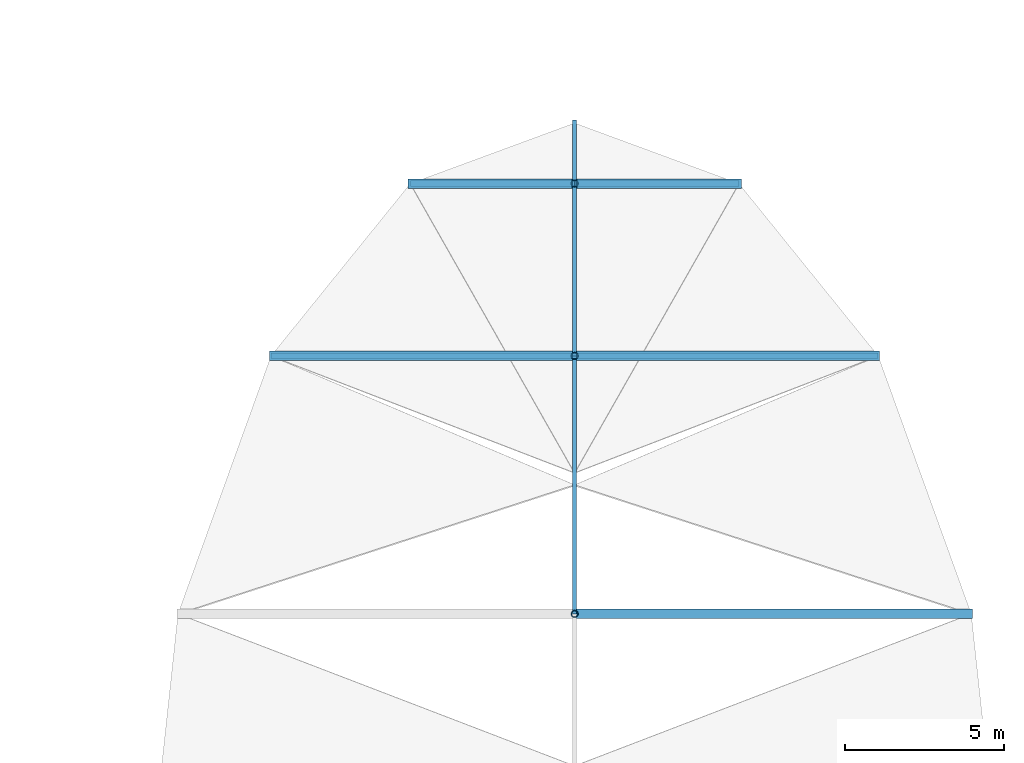
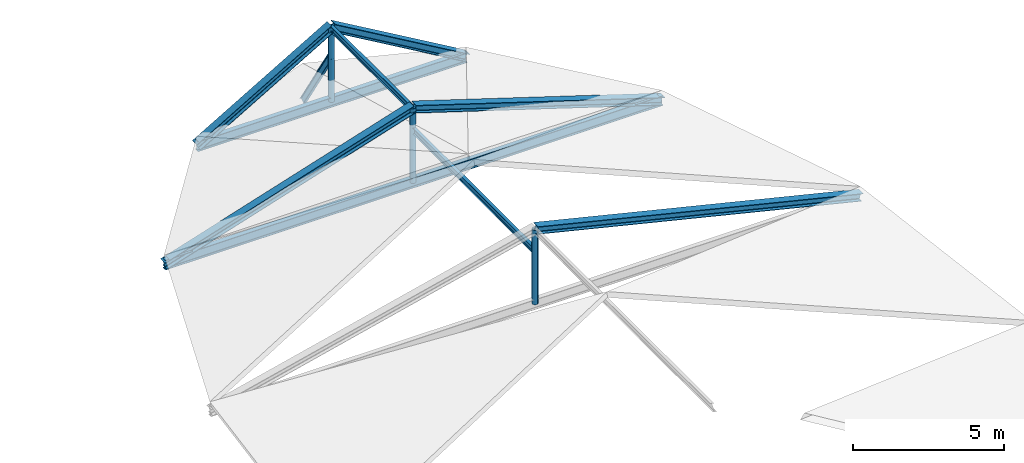
# One storey, part 24 of 36: 11 members, 2 beams.
"""IFC4 building model written with IfcOpenShell, lengths in metres."""

from ifc_helpers import new_model, si_unit, direction, frame, origin, origin_2d, place, context, subcontext, project, spatial, hollow_circle, i_section, extrude, material, material_profile, profile_set, type_object, element, save


model = new_model("IFC4")

# Units and contexts
model_context = context("Model", 3, precision=1e-05, world=origin(), true_north=direction((0.0, 1.0)))
body_context = subcontext(model_context, "Body", "Model", "MODEL_VIEW")
ifc_project = project(units=[si_unit("LENGTHUNIT", "METRE"), si_unit("AREAUNIT", "SQUARE_METRE"), si_unit("VOLUMEUNIT", "CUBIC_METRE"), si_unit("PLANEANGLEUNIT", "RADIAN"), si_unit("MASSUNIT", "GRAM", prefix="KILO")], contexts=[model_context])

# Site, building, storey
site_placement = place(None, origin())
site = spatial("IfcSite", under=ifc_project, at=site_placement, CompositionType="ELEMENT")
building_placement = place(site_placement, origin())
building = spatial("IfcBuilding", under=site, at=building_placement, Name="Kildeholm Park Wholesale Market", CompositionType="ELEMENT")
storey_placement = place(building_placement, frame((0.0, 0.0, 17.39990234375)))
storey = spatial("IfcBuildingStorey", under=building, at=storey_placement, Name="Roof", CompositionType="ELEMENT", Elevation=17.39990234375)

# Beams
ifc_material = material(Name="Steel S355", Category="steel")
ifc_material_profile_1 = material_profile(ifc_material, i_section(OverallWidth=0.179931640625, OverallDepth=0.39990234375, WebThickness=0.008544921875, FlangeThickness=0.013427734375, FilletRadius=0.02099609375, at=origin_2d()), Name="IPE 400")
ifc_profile_set_1 = profile_set([ifc_material_profile_1], Name="Steel S355")
beam_type = type_object("IfcBeamType", Name="Beam B-P01 IPE 400", PredefinedType="BEAM", material=ifc_profile_set_1)
beam_1_placement = place(storey_placement, frame((197.5458984375, 112.177978515625, -5.559814453125), z_axis=(-1.0, 0.0, 0.0), x_axis=(0.0, -1.0, 0.0)))
element("IfcBeam", 1, at=beam_1_placement, inside=storey, type_object=beam_type, Name="Beam BM-V2-TIE-02 BM-0472", PredefinedType="BEAM", context=body_context, shape_type="SweptSolid", body=[
    extrude(i_section(OverallWidth=0.179931640625, OverallDepth=0.39990234375, WebThickness=0.008544921875, FlangeThickness=0.013427734375, FilletRadius=0.02099609375, at=origin_2d()), origin(), (0.0, 0.0, 1.0), 19.091796875),
])
beam_2_placement = place(storey_placement, frame((193.166015625, 117.596923828125, -5.5751953125), z_axis=(-1.0, 0.0, 0.0), x_axis=(0.0, -1.0, 0.0)))
element("IfcBeam", 2, at=beam_2_placement, inside=storey, type_object=beam_type, Name="Beam BM-V2-TIE-03 BM-0473", PredefinedType="BEAM", context=body_context, shape_type="SweptSolid", body=[
    extrude(i_section(OverallWidth=0.179931640625, OverallDepth=0.39990234375, WebThickness=0.008544921875, FlangeThickness=0.013427734375, FilletRadius=0.02099609375, at=origin_2d()), origin(), (0.0, 0.0, 1.0), 10.33203125),
])

# Members
ifc_material_profile_2 = material_profile(ifc_material, i_section(OverallWidth=0.1201171875, OverallDepth=0.239990234375, WebThickness=0.006103515625, FlangeThickness=0.009765625, FilletRadius=0.014892578125, at=origin_2d()), Name="IPE 240")
ifc_profile_set_2 = profile_set([ifc_material_profile_2], Name="Steel S355")
member_type_1 = type_object("IfcMemberType", Name="Member PR-02 IPE 240", PredefinedType="PURLIN", material=ifc_profile_set_2)
member_1_placement = place(storey_placement, frame((188.0, 119.5, -6.73779296875), z_axis=(0.0, -0.535669924709, 0.844427457963), x_axis=(1.0, 0.0, 0.0)))
element("IfcMember", 3, at=member_1_placement, inside=storey, type_object=member_type_1, Name="Member PR-V2-RDG-01 MEM-0325", PredefinedType="PURLIN", context=body_context, shape_type="SweptSolid", body=[
    extrude(i_section(OverallWidth=0.1201171875, OverallDepth=0.239990234375, WebThickness=0.006103515625, FlangeThickness=0.009765625, FilletRadius=0.014892578125, at=origin_2d()), origin(), (0.0, 0.0, 1.0), 3.552734375),
])
member_2_placement = place(storey_placement, frame((188.0, 117.596923828125, -2.619873046875), z_axis=(0.0, -1.0, 0.0), x_axis=(1.0, 0.0, 0.0)))
element("IfcMember", 4, at=member_2_placement, inside=storey, type_object=member_type_1, Name="Member PR-V2-RDG-02 MEM-0326", PredefinedType="PURLIN", context=body_context, shape_type="SweptSolid", body=[
    extrude(i_section(OverallWidth=0.1201171875, OverallDepth=0.239990234375, WebThickness=0.006103515625, FlangeThickness=0.009765625, FilletRadius=0.014892578125, at=origin_2d()), origin(), (0.0, 0.0, 1.0), 5.4189453125),
])
member_3_placement = place(storey_placement, frame((188.0, 112.177978515625, -3.43310546875), z_axis=(0.0, -1.0, 0.0), x_axis=(1.0, 0.0, 0.0)))
element("IfcMember", 5, at=member_3_placement, inside=storey, type_object=member_type_1, Name="Member PR-V2-RDG-03 MEM-0327", PredefinedType="PURLIN", context=body_context, shape_type="SweptSolid", body=[
    extrude(i_section(OverallWidth=0.1201171875, OverallDepth=0.239990234375, WebThickness=0.006103515625, FlangeThickness=0.009765625, FilletRadius=0.014892578125, at=origin_2d()), origin(), (0.0, 0.0, 1.0), 8.111083984375),
])
ifc_material_profile_3 = material_profile(ifc_material, hollow_circle(Radius=0.109619140625, WallThickness=0.012451171875, at=origin_2d()), Name="CHS 219.1x12.5")
ifc_profile_set_3 = profile_set([ifc_material_profile_3], Name="Steel S355")
member_type_2 = type_object("IfcMemberType", Name="Member TB-02 CHS 219.1x12.5", PredefinedType="BRACE", material=ifc_profile_set_3)
for number, where, z_axis, x_axis, name in (
    (6, (188.0, 104.06689453125, -5.559814453125), (0.0, 0.0, 1.0), (1.0, 0.0, 0.0), "Member TR-V2-KP-01 MEM-0309"),
    (7, (188.0, 112.177978515625, -5.559814453125), (0.0, 0.0, 1.0), (1.0, 0.0, 0.0), "Member TR-V2-KP-02 MEM-0312"),
    (8, (188.0, 117.596923828125, -5.559814453125), (0.0, 0.0, 1.0), (1.0, 0.0, 0.0), "Member TR-V2-KP-03 MEM-0315"),
):
    element("IfcMember", number, at=place(storey_placement, frame(where, z_axis=z_axis, x_axis=x_axis)), inside=storey, type_object=member_type_2, Name=name, PredefinedType="BRACE", context=body_context, shape_type="SweptSolid", body=[
        extrude(hollow_circle(Radius=0.109619140625, WallThickness=0.012451171875, at=origin_2d()), origin(), (0.0, 0.0, 1.0), 3.02001953125),
    ])
ifc_material_profile_4 = material_profile(ifc_material, i_section(OverallWidth=0.300048828125, OverallDepth=0.300048828125, WebThickness=0.010986328125, FlangeThickness=0.01904296875, FilletRadius=0.027099609375, at=origin_2d()), Name="HEB 300")
ifc_profile_set_4 = profile_set([ifc_material_profile_4], Name="Steel S355")
member_type_3 = type_object("IfcMemberType", Name="Member TC-03 HEB 300", PredefinedType="CHORD", material=ifc_profile_set_4)
member_4_placement = place(storey_placement, frame((200.471923828125, 104.06689453125, -5.559814453125), z_axis=(-0.971912114897, 0.0, 0.235344090463), x_axis=(0.0, -1.0, 0.0)))
element("IfcMember", 9, at=member_4_placement, inside=storey, type_object=member_type_3, Name="Member TR-V2-TC-01L MEM-0307", PredefinedType="CHORD", context=body_context, shape_type="SweptSolid", body=[
    extrude(i_section(OverallWidth=0.300048828125, OverallDepth=0.300048828125, WebThickness=0.010986328125, FlangeThickness=0.01904296875, FilletRadius=0.027099609375, at=origin_2d()), origin(), (0.0, 0.0, 1.0), 12.832275390625),
])
for number, where, z_axis, x_axis, name in (
    (10, (197.5458984375, 112.177978515625, -5.559814453125), (-0.953424066202, 0.0, 0.30163313808), (0.0, -1.0, 0.0), "Member TR-V2-TC-02L MEM-0310"),
    (11, (188.0, 112.177978515625, -2.539794921875), (-0.953424066202, 0.0, -0.30163313808), (0.0, -1.0, 0.0), "Member TR-V2-TC-02R MEM-0311"),
):
    element("IfcMember", number, at=place(storey_placement, frame(where, z_axis=z_axis, x_axis=x_axis)), inside=storey, type_object=member_type_3, Name=name, PredefinedType="CHORD", context=body_context, shape_type="SweptSolid", body=[
        extrude(i_section(OverallWidth=0.300048828125, OverallDepth=0.300048828125, WebThickness=0.010986328125, FlangeThickness=0.01904296875, FilletRadius=0.027099609375, at=origin_2d()), origin(), (0.0, 0.0, 1.0), 10.01220703125),
    ])
for number, where, z_axis, x_axis, name in (
    (12, (193.166015625, 117.596923828125, -5.559814453125), (-0.863304998408, 0.0, 0.504682553417), (0.0, -1.0, 0.0), "Member TR-V2-TC-03L MEM-0313"),
    (13, (188.0, 117.596923828125, -2.539794921875), (-0.863304998408, 0.0, -0.504682553417), (0.0, -1.0, 0.0), "Member TR-V2-TC-03R MEM-0314"),
):
    element("IfcMember", number, at=place(storey_placement, frame(where, z_axis=z_axis, x_axis=x_axis)), inside=storey, type_object=member_type_3, Name=name, PredefinedType="CHORD", context=body_context, shape_type="SweptSolid", body=[
        extrude(i_section(OverallWidth=0.300048828125, OverallDepth=0.300048828125, WebThickness=0.010986328125, FlangeThickness=0.01904296875, FilletRadius=0.027099609375, at=origin_2d()), origin(), (0.0, 0.0, 1.0), 5.98388671875),
    ])

save(model, "model.ifc")
